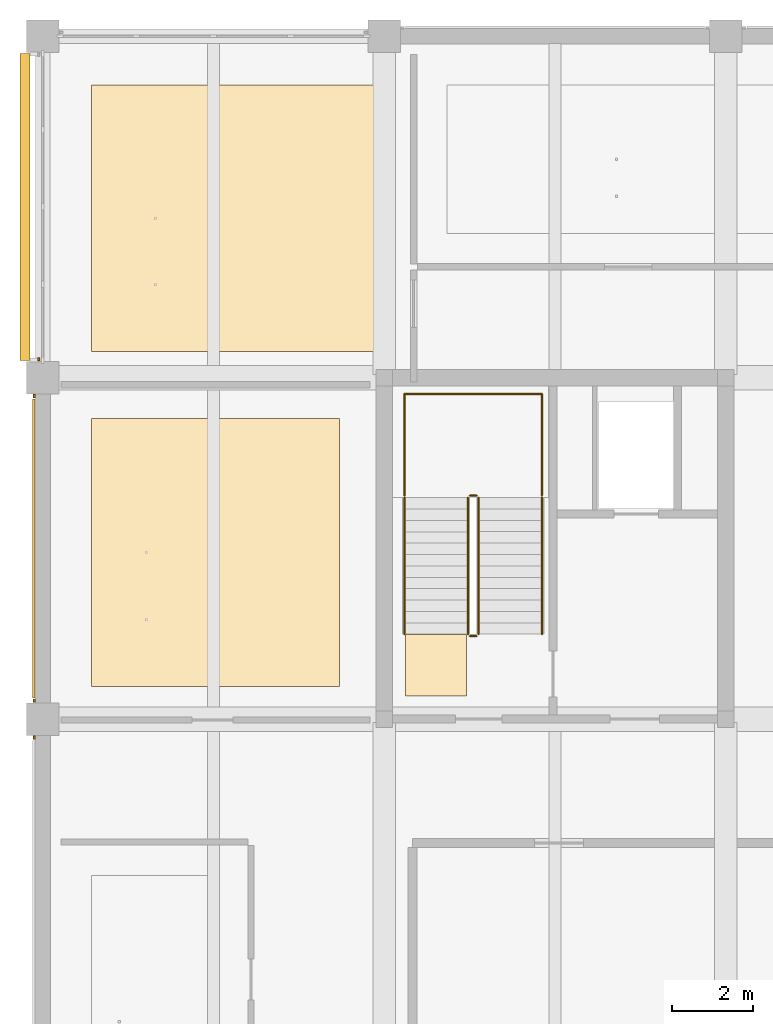
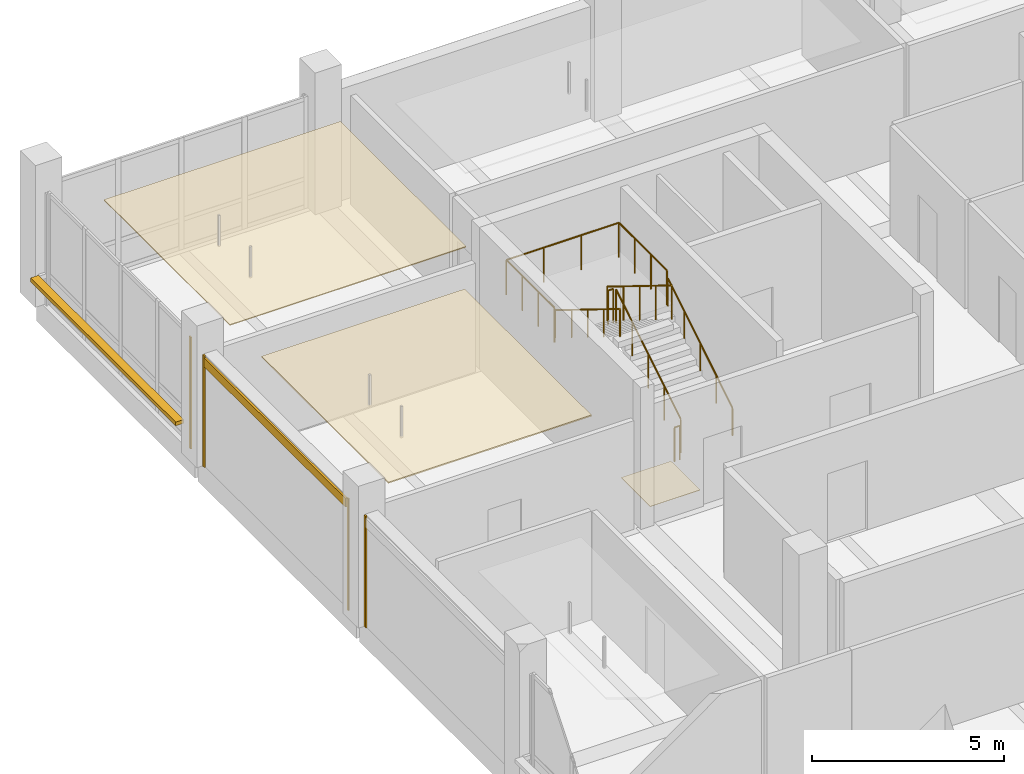
# One storey, part 26 of 35: 8 coverings, 7 railings, 1 shading device.
"""IFC4 building model written with IfcOpenShell, lengths in metres."""

from ifc_helpers import new_model, si_unit, direction, frame, origin, origin_2d, place, context, subcontext, project, spatial, polyline, rectangle, circle, outline, extrude, material, layer, layer_set, type_object, element, save


model = new_model("IFC4")

# Units and contexts
model_context = context("Model", 3, precision=1e-05, world=origin(), true_north=direction((0.0, 1.0)))
body_context = subcontext(model_context, "Body", "Model", "MODEL_VIEW")
ifc_project = project(units=[si_unit("LENGTHUNIT", "METRE"), si_unit("AREAUNIT", "SQUARE_METRE"), si_unit("VOLUMEUNIT", "CUBIC_METRE"), si_unit("PLANEANGLEUNIT", "RADIAN"), si_unit("MASSUNIT", "GRAM", prefix="KILO")], contexts=[model_context])

# Site, building, storey
site_placement = place(None, origin())
site = spatial("IfcSite", under=ifc_project, at=site_placement, CompositionType="ELEMENT")
building_placement = place(site_placement, origin())
building = spatial("IfcBuilding", under=site, at=building_placement, Name="Telukmera Botanical Conservatory", CompositionType="ELEMENT")
storey_placement = place(building_placement, frame((0.0, 0.0, 28.5)))
storey = spatial("IfcBuildingStorey", under=building, at=storey_placement, Name="L06", CompositionType="ELEMENT", Elevation=28.5)

# Coverings
ifc_material_1 = material(Name="Mineral fibre acoustic ceiling")
ifc_layer_1 = layer(ifc_material_1, 0.030029296875)
ifc_layer_set_1 = layer_set([ifc_layer_1], Name="Mineral fibre acoustic ceiling")
covering_type_1 = type_object("IfcCoveringType", Name="COV-CEIL-30", PredefinedType="CEILING", material=ifc_layer_set_1)
covering_1_placement = place(storey_placement, frame((0.0, 0.0, 3.320068359375)))
element("IfcCovering", 1, at=covering_1_placement, inside=storey, type_object=covering_type_1, Name="L06 Tropical Timber Anatomy Laboratory Suspended Acoustic Ceiling", PredefinedType="CEILING", context=body_context, shape_type="SweptSolid", body=[
    extrude(outline(polyline([(51.60009765625, 35.050048828125), (58.699951171875, 35.050048828125), (58.699951171875, 41.60009765625), (51.60009765625, 41.60009765625), (51.60009765625, 35.050048828125)])), origin(), (0.0, 0.0, 1.0), 0.030029296875),
])
ifc_material_2 = material(Name="Perforated gypsum acoustic ceiling")
ifc_layer_2 = layer(ifc_material_2, 0.0400390625)
ifc_layer_set_2 = layer_set([ifc_layer_2], Name="Perforated gypsum acoustic ceiling")
covering_type_2 = type_object("IfcCoveringType", Name="COV-CEIL-40", PredefinedType="CEILING", material=ifc_layer_set_2)
covering_2_placement = place(storey_placement, frame((0.0, 0.0, 3.31005859375)))
element("IfcCovering", 2, at=covering_2_placement, inside=storey, type_object=covering_type_2, Name="L06 Dipterocarp Curation Studio Suspended Acoustic Ceiling", PredefinedType="CEILING", context=body_context, shape_type="SweptSolid", body=[
    extrude(outline(polyline([(51.60009765625, 26.800048828125), (57.699951171875, 26.800048828125), (57.699951171875, 33.39990234375), (51.60009765625, 33.39990234375), (51.60009765625, 26.800048828125)])), origin(), (0.0, 0.0, 1.0), 0.0400390625),
])
ifc_material_3 = material(Name="Honed granite non-slip flooring", Category="masonry")
ifc_layer_3 = layer(ifc_material_3, 0.011962890625)
ifc_layer_set_3 = layer_set([ifc_layer_3], Name="Honed granite non-slip flooring")
covering_type_3 = type_object("IfcCoveringType", Name="COV-FLR-12", PredefinedType="FLOORING", material=ifc_layer_set_3)
covering_3_placement = place(storey_placement, origin())
element("IfcCovering", 3, at=covering_3_placement, inside=storey, type_object=covering_type_3, Name="L06 ST1 Non-Slip Stair Landing Finish", PredefinedType="FLOORING", context=body_context, shape_type="SweptSolid", body=[
    extrude(outline(polyline([(60.830078125, 26.570068359375), (60.830078125, 28.0849609375), (59.330078125, 28.0849609375), (59.330078125, 26.570068359375), (60.830078125, 26.570068359375)])), origin(), (0.0, 0.0, 1.0), 0.011962890625),
])
ifc_material_4 = material(Name="Granite-faced precast concrete C40/50", Category="masonry")
ifc_layer_4 = layer(ifc_material_4, 0.0400390625)
ifc_layer_set_4 = layer_set([ifc_layer_4], Name="Granite-faced precast concrete C40/50")
covering_type_4 = type_object("IfcCoveringType", Name="Granite Precast Column Pier Reveal Casing", PredefinedType="CLADDING", material=ifc_layer_set_4)
for number, where, z_axis, x_axis, name in (
    (4, (50.18994140625, 25.548095703125, 0.0), (0.0, 0.0, 1.0), (0.0, 1.0, 0.0), "Granite Pier Reveal V4:L06:W2 R"),
    (5, (50.18994140625, 26.451904296875, 0.0), (0.0, 0.0, 1.0), (0.0, 1.0, 0.0), "Granite Pier Reveal V4:L06:W3 L"),
    (6, (50.18994140625, 33.947998046875, 0.0), (0.0, 0.0, 1.0), (0.0, 1.0, 0.0), "Granite Pier Reveal V4:L06:W3 R"),
    (7, (50.300048828125, 34.85205078125, 0.0), (0.0, 0.0, 1.0), (0.0, 1.0, 0.0), "Granite Pier Reveal V4:L06:W4 L"),
):
    element("IfcCovering", number, at=place(storey_placement, frame(where, z_axis=z_axis, x_axis=x_axis)), inside=storey, type_object=covering_type_4, Name=name, PredefinedType="CLADDING", context=body_context, shape_type="SweptSolid", body=[
        extrude(rectangle(XDim=0.080078125, YDim=0.0400390625, at=origin_2d()), origin(), (0.0, 0.0, 1.0), 3.550048828125),
    ])

# Shading device
ifc_material_5 = material(Name="Perforated terracotta-anodised aluminium 6063-T6", Category="masonry")
ifc_layer_5 = layer(ifc_material_5, 0.044921875)
ifc_layer_set_5 = layer_set([ifc_layer_5], Name="Perforated terracotta-anodised aluminium 6063-T6")
shading_device_type = type_object("IfcShadingDeviceType", Name="Perforated Terracotta Aluminium Monsoon Brise Soleil", PredefinedType="JALOUSIE", material=ifc_layer_set_5)
shading_device_placement = place(storey_placement, frame((49.9599609375, 38.60009765625, 0.889892578125), z_axis=(0.0, 0.0, 1.0), x_axis=(0.0, 1.0, 0.0)))
element("IfcShadingDevice", 8, at=shading_device_placement, inside=storey, type_object=shading_device_type, Name="Monsoon Shading BS01 V4:L06:W4", PredefinedType="JALOUSIE", context=body_context, shape_type="SweptSolid", body=[
    extrude(rectangle(XDim=7.555908203125, YDim=0.239990234375, at=origin_2d()), origin(), (0.0, 0.0, 1.0), 0.1201171875),
])

# Covering
ifc_material_6 = material(Name="Terracotta-faced precast concrete C40/50", Category="masonry")
ifc_layer_6 = layer(ifc_material_6, 0.06005859375)
ifc_layer_set_6 = layer_set([ifc_layer_6], Name="Terracotta-faced precast concrete C40/50")
covering_type_5 = type_object("IfcCoveringType", Name="Polychrome Terracotta Facade Band Cladding", PredefinedType="CLADDING", material=ifc_layer_set_6)
covering_4_placement = place(storey_placement, frame((50.179931640625, 30.199951171875, 3.22998046875), z_axis=(0.0, 0.0, 1.0), x_axis=(0.0, 1.0, 0.0)))
element("IfcCovering", 9, at=covering_4_placement, inside=storey, type_object=covering_type_5, Name="Polychrome Terracotta Band V4:L06:W3", PredefinedType="CLADDING", context=body_context, shape_type="SweptSolid", body=[
    extrude(rectangle(XDim=7.35595703125, YDim=0.06005859375, at=origin_2d()), origin(), (0.0, 0.0, 1.0), 0.280029296875),
])

# Railings
ifc_material_7 = material(Name="Steel S355", Category="steel")
railing_type_1 = type_object("IfcRailingType", Name="RL-GUARD-1100", PredefinedType="GUARDRAIL", material=ifc_material_7)
railing_1_placement = place(storey_placement, frame((61.1201171875, 28.090087890625, 0.173095703125)))
element("IfcRailing", 10, at=railing_1_placement, inside=storey, type_object=railing_type_1, Name="L06 ST1 stair guard 1", PredefinedType="GUARDRAIL", context=body_context, shape_type="SweptSolid", body=[
    extrude(circle(Radius=0.02392578125, at=origin_2d()), frame((0.0, 0.0, 1.076171875), z_axis=(0.0, 0.850606129759, 0.525803396734), x_axis=(-1.0, 0.0, 0.0)), (0.0, 0.0, 1.0), 3.949951171875),
    extrude(circle(Radius=0.02099609375, at=origin_2d()), origin(), (0.0, 0.0, 1.0), 1.052001953125),
    extrude(circle(Radius=0.02099609375, at=origin_2d()), frame((0.0, 0.83984375, 0.519287109375)), (0.0, 0.0, 1.0), 1.052001953125),
    extrude(circle(Radius=0.02099609375, at=origin_2d()), frame((0.0, 1.679931640625, 1.03857421875)), (0.0, 0.0, 1.0), 1.052001953125),
    extrude(circle(Radius=0.02099609375, at=origin_2d()), frame((0.0, 2.52001953125, 1.5576171875)), (0.0, 0.0, 1.0), 1.052001953125),
    extrude(circle(Radius=0.02099609375, at=origin_2d()), frame((0.0, 3.35986328125, 2.076904296875)), (0.0, 0.0, 1.0), 1.052001953125),
])
railing_2_placement = place(storey_placement, frame((61.070068359375, 31.5, 2.25)))
element("IfcRailing", 11, at=railing_2_placement, inside=storey, type_object=railing_type_1, Name="L06 ST1 stair guard 2", PredefinedType="GUARDRAIL", context=body_context, shape_type="SweptSolid", body=[
    extrude(circle(Radius=0.02392578125, at=origin_2d()), frame((0.0, 0.0, 1.076171875), z_axis=(-1.0, 0.0, 0.0), x_axis=(0.0, -1.0, 0.0)), (0.0, 0.0, 1.0), 0.16015625),
    extrude(circle(Radius=0.02099609375, at=origin_2d()), origin(), (0.0, 0.0, 1.0), 1.052001953125),
    extrude(circle(Radius=0.02099609375, at=origin_2d()), frame((-0.16015625, 0.0, 0.0)), (0.0, 0.0, 1.0), 1.052001953125),
])
railing_3_placement = place(storey_placement, frame((60.860107421875, 31.449951171875, 2.423095703125)))
element("IfcRailing", 12, at=railing_3_placement, inside=storey, type_object=railing_type_1, Name="L06 ST1 stair guard 3", PredefinedType="GUARDRAIL", context=body_context, shape_type="SweptSolid", body=[
    extrude(circle(Radius=0.02392578125, at=origin_2d()), frame((0.0, 0.0, 1.076171875), z_axis=(0.0, -0.850606129759, 0.525803396734), x_axis=(1.0, 0.0, 0.0)), (0.0, 0.0, 1.0), 3.949951171875),
    extrude(circle(Radius=0.02099609375, at=origin_2d()), origin(), (0.0, 0.0, 1.0), 1.052001953125),
    extrude(circle(Radius=0.02099609375, at=origin_2d()), frame((0.0, -0.83984375, 0.519287109375)), (0.0, 0.0, 1.0), 1.052001953125),
    extrude(circle(Radius=0.02099609375, at=origin_2d()), frame((0.0, -1.679931640625, 1.03857421875)), (0.0, 0.0, 1.0), 1.052001953125),
    extrude(circle(Radius=0.02099609375, at=origin_2d()), frame((0.0, -2.52001953125, 1.5576171875)), (0.0, 0.0, 1.0), 1.052001953125),
    extrude(circle(Radius=0.02099609375, at=origin_2d()), frame((0.0, -3.35986328125, 2.076904296875)), (0.0, 0.0, 1.0), 1.052001953125),
])
railing_4_placement = place(storey_placement, frame((61.070068359375, 28.0400390625, 0.0)))
element("IfcRailing", 13, at=railing_4_placement, inside=storey, type_object=railing_type_1, Name="L06 ST1 stair guard 4", PredefinedType="GUARDRAIL", context=body_context, shape_type="SweptSolid", body=[
    extrude(circle(Radius=0.02392578125, at=origin_2d()), frame((0.0, 0.0, 1.076171875), z_axis=(-1.0, 0.0, 0.0), x_axis=(0.0, -1.0, 0.0)), (0.0, 0.0, 1.0), 0.16015625),
    extrude(circle(Radius=0.02099609375, at=origin_2d()), origin(), (0.0, 0.0, 1.0), 1.052001953125),
    extrude(circle(Radius=0.02099609375, at=origin_2d()), frame((-0.16015625, 0.0, 0.0)), (0.0, 0.0, 1.0), 1.052001953125),
])
railing_5_placement = place(storey_placement, frame((62.679931640625, 31.5, 2.25)))
element("IfcRailing", 14, at=railing_5_placement, inside=storey, type_object=railing_type_1, Name="L06 ST1 half-landing perimeter guard 1", PredefinedType="GUARDRAIL", context=body_context, shape_type="SweptSolid", body=[
    extrude(circle(Radius=0.02392578125, at=origin_2d()), frame((0.0, 0.0, 1.09619140625), z_axis=(0.0, 1.0, 0.0), x_axis=(-1.0, 0.0, 0.0)), (0.0, 0.0, 1.0), 2.5),
    extrude(circle(Radius=0.02392578125, at=origin_2d()), frame((0.0, 2.5, 1.09619140625), z_axis=(-1.0, 0.0, 0.0), x_axis=(0.0, -1.0, 0.0)), (0.0, 0.0, 1.0), 3.3798828125),
    extrude(circle(Radius=0.02392578125, at=origin_2d()), frame((-3.3798828125, 2.5, 1.09619140625), z_axis=(0.0, -1.0, 0.0), x_axis=(1.0, 0.0, 0.0)), (0.0, 0.0, 1.0), 2.5),
    extrude(circle(Radius=0.02099609375, at=origin_2d()), origin(), (0.0, 0.0, 1.0), 1.072021484375),
    extrude(circle(Radius=0.02099609375, at=origin_2d()), frame((0.0, 0.833251953125, 0.0)), (0.0, 0.0, 1.0), 1.072021484375),
    extrude(circle(Radius=0.02099609375, at=origin_2d()), frame((0.0, 1.666748046875, 0.0)), (0.0, 0.0, 1.0), 1.072021484375),
    extrude(circle(Radius=0.02099609375, at=origin_2d()), frame((0.0, 2.5, 0.0)), (0.0, 0.0, 1.0), 1.072021484375),
    extrude(circle(Radius=0.02099609375, at=origin_2d()), frame((-1.126708984375, 2.5, 0.0)), (0.0, 0.0, 1.0), 1.072021484375),
    extrude(circle(Radius=0.02099609375, at=origin_2d()), frame((-2.253173828125, 2.5, 0.0)), (0.0, 0.0, 1.0), 1.072021484375),
    extrude(circle(Radius=0.02099609375, at=origin_2d()), frame((-3.3798828125, 2.5, 0.0)), (0.0, 0.0, 1.0), 1.072021484375),
    extrude(circle(Radius=0.02099609375, at=origin_2d()), frame((-3.3798828125, 1.666748046875, 0.0)), (0.0, 0.0, 1.0), 1.072021484375),
    extrude(circle(Radius=0.02099609375, at=origin_2d()), frame((-3.3798828125, 0.833251953125, 0.0)), (0.0, 0.0, 1.0), 1.072021484375),
    extrude(circle(Radius=0.02099609375, at=origin_2d()), frame((-3.3798828125, 0.0, 0.0)), (0.0, 0.0, 1.0), 1.072021484375),
])
ifc_material_8 = material(Name="Stainless steel 316", Category="steel")
railing_type_2 = type_object("IfcRailingType", Name="RL-HAND-900", PredefinedType="HANDRAIL", material=ifc_material_8)
railing_6_placement = place(storey_placement, frame((62.679931640625, 28.090087890625, 0.173095703125)))
element("IfcRailing", 15, at=railing_6_placement, inside=storey, type_object=railing_type_2, Name="L06 ST1 stair handrail 1", PredefinedType="HANDRAIL", context=body_context, shape_type="SweptSolid", body=[
    extrude(circle(Radius=0.02392578125, at=origin_2d()), frame((0.0, 0.0, 0.8759765625), z_axis=(0.0, 0.850606129759, 0.525803396734), x_axis=(-1.0, 0.0, 0.0)), (0.0, 0.0, 1.0), 3.949951171875),
    extrude(circle(Radius=0.02099609375, at=origin_2d()), origin(), (0.0, 0.0, 1.0), 0.851806640625),
    extrude(circle(Radius=0.02099609375, at=origin_2d()), frame((0.0, 0.83984375, 0.519287109375)), (0.0, 0.0, 1.0), 0.851806640625),
    extrude(circle(Radius=0.02099609375, at=origin_2d()), frame((0.0, 1.679931640625, 1.03857421875)), (0.0, 0.0, 1.0), 0.851806640625),
    extrude(circle(Radius=0.02099609375, at=origin_2d()), frame((0.0, 2.52001953125, 1.5576171875)), (0.0, 0.0, 1.0), 0.851806640625),
    extrude(circle(Radius=0.02099609375, at=origin_2d()), frame((0.0, 3.35986328125, 2.076904296875)), (0.0, 0.0, 1.0), 0.851806640625),
])
railing_7_placement = place(storey_placement, frame((59.300048828125, 31.449951171875, 2.423095703125)))
element("IfcRailing", 16, at=railing_7_placement, inside=storey, type_object=railing_type_2, Name="L06 ST1 stair handrail 2", PredefinedType="HANDRAIL", context=body_context, shape_type="SweptSolid", body=[
    extrude(circle(Radius=0.02392578125, at=origin_2d()), frame((0.0, 0.0, 0.8759765625), z_axis=(0.0, -0.850606129759, 0.525803396734), x_axis=(1.0, 0.0, 0.0)), (0.0, 0.0, 1.0), 3.949951171875),
    extrude(circle(Radius=0.02099609375, at=origin_2d()), origin(), (0.0, 0.0, 1.0), 0.851806640625),
    extrude(circle(Radius=0.02099609375, at=origin_2d()), frame((0.0, -0.83984375, 0.519287109375)), (0.0, 0.0, 1.0), 0.851806640625),
    extrude(circle(Radius=0.02099609375, at=origin_2d()), frame((0.0, -1.679931640625, 1.03857421875)), (0.0, 0.0, 1.0), 0.851806640625),
    extrude(circle(Radius=0.02099609375, at=origin_2d()), frame((0.0, -2.52001953125, 1.5576171875)), (0.0, 0.0, 1.0), 0.851806640625),
    extrude(circle(Radius=0.02099609375, at=origin_2d()), frame((0.0, -3.35986328125, 2.076904296875)), (0.0, 0.0, 1.0), 0.851806640625),
])

save(model, "model.ifc")
